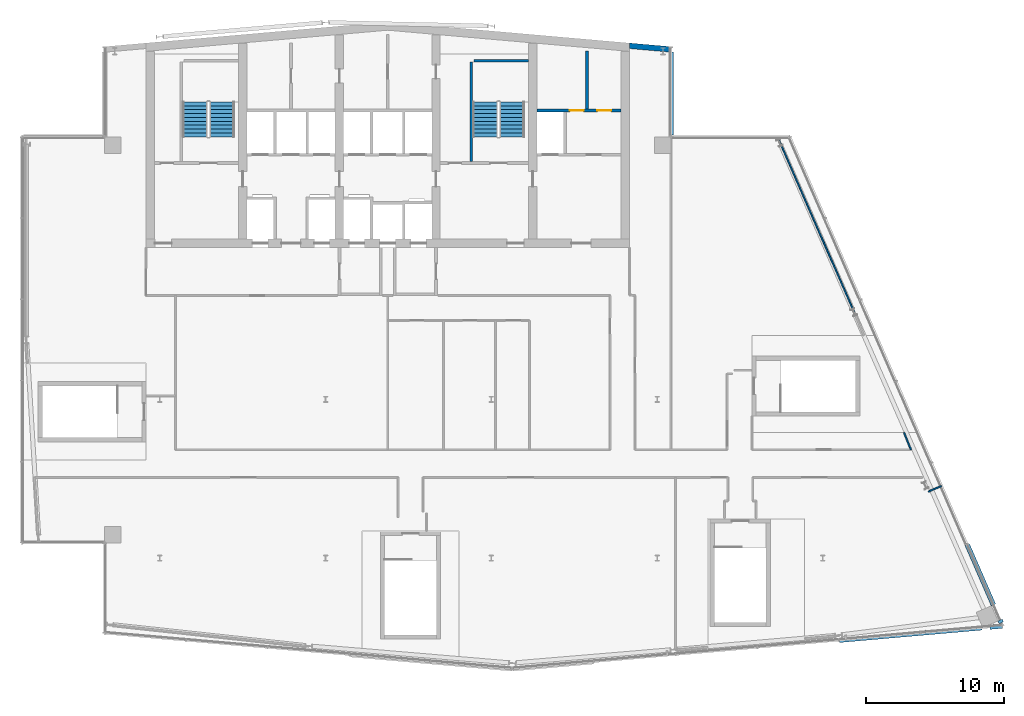
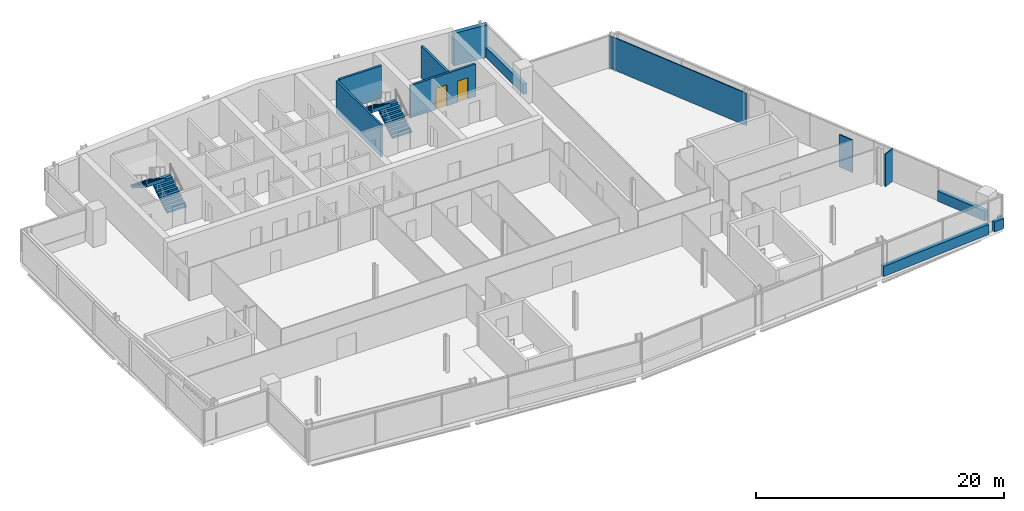
# One storey, part 17 of 19: 13 walls, 4 stair flights, 2 doors, 2 openings, 2 elements without a shape of their own.
"""IFC4 building model written with IfcOpenShell, lengths in metres."""

from ifc_helpers import new_model, si_unit, direction, frame, frame_2d, origin, place, context, subcontext, project, spatial, polyline, rectangle, outline, extrude, material, layer, layer_set, type_object, element, fill, aggregate, save


model = new_model("IFC4")

# Units and contexts
model_context = context("Model", 3, precision=1e-05, world=origin(), true_north=direction((0.0, 1.0)))
body_context = subcontext(model_context, "Body", "Model", "MODEL_VIEW")
ifc_project = project(units=[si_unit("LENGTHUNIT", "METRE"), si_unit("AREAUNIT", "SQUARE_METRE"), si_unit("VOLUMEUNIT", "CUBIC_METRE"), si_unit("PLANEANGLEUNIT", "RADIAN"), si_unit("MASSUNIT", "GRAM", prefix="KILO")], contexts=[model_context])

# Site, building, storey
site_placement = place(None, origin())
site = spatial("IfcSite", under=ifc_project, at=site_placement, CompositionType="ELEMENT")
building_placement = place(site_placement, origin())
building = spatial("IfcBuilding", under=site, at=building_placement, Name="Wharfspan Tower", CompositionType="ELEMENT")
storey_placement = place(building_placement, frame((0.0, 0.0, 257.5)))
storey = spatial("IfcBuildingStorey", under=building, at=storey_placement, Name="L65", CompositionType="ELEMENT", Elevation=257.5)

# Walls
ifc_material_1 = material(Name="Gypsum board on steel studs", Category="steel")
ifc_layer_1 = layer(ifc_material_1, 0.100098)
ifc_layer_set_1 = layer_set([ifc_layer_1], Name="Gypsum board on steel studs")
wall_type_1 = type_object("IfcWallType", Name="Compartment wall 100 EI 60", PredefinedType="PARTITIONING", material=ifc_layer_set_1)
wall_1_placement = place(storey_placement, frame((78.379883, 19.350098, 0.0), z_axis=(0.0, 0.0, 1.0), x_axis=(-0.383963, 0.923344, 0.0)))
element("IfcWall", 1, at=wall_1_placement, inside=storey, type_object=wall_type_1, Name="Partition L65.w045", PredefinedType="PARTITIONING", context=body_context, shape_type="SweptSolid", body=[
    extrude(rectangle(XDim=1.332031, YDim=0.100098, at=frame_2d((0.666016, 0.0))), origin(), (0.0, 0.0, 1.0), 3.199951),
])
ifc_material_2 = material(Name="Calcium silicate masonry", Category="masonry")
ifc_layer_2 = layer(ifc_material_2, 0.199951)
ifc_layer_set_2 = layer_set([ifc_layer_2], Name="Calcium silicate masonry")
wall_type_2 = type_object("IfcWallType", Name="Core room wall 200", PredefinedType="PARTITIONING", material=ifc_layer_set_2)
wall_2_placement = place(storey_placement, frame((54.93335, 44.0, 0.0), z_axis=(0.0, 0.0, 1.0), x_axis=(0.0, 1.0, 0.0)))
element("IfcWall", 2, at=wall_2_placement, inside=storey, type_object=wall_type_2, Name="sw:L65:RP6.1", PredefinedType="PARTITIONING", context=body_context, shape_type="SweptSolid", body=[
    extrude(rectangle(XDim=4.217529, YDim=0.199951, at=frame_2d((2.108887, 0.0))), origin(), (0.0, 0.0, 1.0), 3.199951),
])

# Wall, openings, doors
ifc_material_3 = material(Name="Concrete C30/37", Category="concrete")
ifc_layer_3 = layer(ifc_material_3, 0.199951)
ifc_layer_set_3 = layer_set([ifc_layer_3], Name="Concrete C30/37")
wall_type_3 = type_object("IfcWallType", Name="Lift shaft wall 200", PredefinedType="PARTITIONING", material=ifc_layer_set_3)
wall_3_placement = place(storey_placement, frame((51.300049, 43.899902, 0.0), z_axis=(0.0, 0.0, 1.0), x_axis=(1.0, 0.0, 0.0)))
wall_3 = element("IfcWall", 3, at=wall_3_placement, inside=storey, type_object=wall_type_3, Name="sw:L65:RR6", PredefinedType="PARTITIONING", context=body_context, shape_type="SweptSolid", body=[
    extrude(rectangle(XDim=6.099854, YDim=0.199951, at=frame_2d((3.049805, 0.0))), origin(), (0.0, 0.0, 1.0), 3.199951),
])
opening_1_placement = place(wall_3_placement, frame((2.383301, 0.0, 0.0)))
opening_1 = element("IfcOpeningElement", 4, at=opening_1_placement, cuts=wall_3, Name="Opening CD65.6S2", PredefinedType="OPENING", context=body_context, shape_type="SweptSolid", body=[
    extrude(rectangle(XDim=1.0, YDim=2.100098, at=frame_2d((0.5, 1.050049))), frame((0.0, 0.109863, 0.0), z_axis=(0.0, -1.0, 0.0), x_axis=(1.0, 0.0, 0.0)), (0.0, 0.0, 1.0), 0.219971),
])
opening_2_placement = place(wall_3_placement, frame((4.366699, 0.0, 0.0)))
opening_2 = element("IfcOpeningElement", 5, at=opening_2_placement, cuts=wall_3, Name="Opening CD65.6S2a", PredefinedType="OPENING", context=body_context, shape_type="SweptSolid", body=[
    extrude(rectangle(XDim=1.0, YDim=2.100098, at=frame_2d((0.5, 1.050049))), frame((0.0, 0.109863, 0.0), z_axis=(0.0, -1.0, 0.0), x_axis=(1.0, 0.0, 0.0)), (0.0, 0.0, 1.0), 0.219971),
])
ifc_material_4 = material(Name="Steel door leaf", Category="steel")
door_type = type_object("IfcDoorType", Name="Core room door 1000x2100", OperationType="SINGLE_SWING_LEFT", PredefinedType="DOOR", material=ifc_material_4)
door_1_placement = place(opening_1_placement, origin())
door_1 = element("IfcDoor", 6, at=door_1_placement, inside=storey, type_object=door_type, Name="d:L65:6:rs6.2", OperationType="SINGLE_SWING_LEFT", OverallHeight=2.100098, OverallWidth=1.0, PredefinedType="DOOR", context=body_context, shape_type="SweptSolid", body=[
    extrude(rectangle(XDim=1.0, YDim=2.100098, at=frame_2d((0.5, 1.050049))), frame((0.0, 0.024902, 0.0), z_axis=(0.0, -1.0, 0.0), x_axis=(1.0, 0.0, 0.0)), (0.0, 0.0, 1.0), 0.050049),
])
fill(opening_1, door_1)
door_2_placement = place(opening_2_placement, origin())
door_2 = element("IfcDoor", 7, at=door_2_placement, inside=storey, type_object=door_type, Name="d:L65:6:rs6.2a", OperationType="SINGLE_SWING_LEFT", OverallHeight=2.100098, OverallWidth=1.0, PredefinedType="DOOR", context=body_context, shape_type="SweptSolid", body=[
    extrude(rectangle(XDim=1.0, YDim=2.100098, at=frame_2d((0.5, 1.050049))), frame((0.0, 0.024902, 0.0), z_axis=(0.0, -1.0, 0.0), x_axis=(1.0, 0.0, 0.0)), (0.0, 0.0, 1.0), 0.050049),
])
fill(opening_2, door_2)

# Walls
ifc_layer_4 = layer(ifc_material_1, 0.100098)
ifc_layer_set_4 = layer_set([ifc_layer_4], Name="Gypsum board on steel studs")
wall_type_4 = type_object("IfcWallType", Name="Partition 100", PredefinedType="PARTITIONING", material=ifc_layer_set_4)
wall_4_placement = place(storey_placement, frame((74.264893, 29.310059, 0.0), z_axis=(0.0, 0.0, 1.0), x_axis=(-0.400401, 0.916335, 0.0)))
element("IfcWall", 8, at=wall_4_placement, inside=storey, type_object=wall_type_4, Name="Partition L65.w043", PredefinedType="PARTITIONING", context=body_context, shape_type="SweptSolid", body=[
    extrude(rectangle(XDim=13.794678, YDim=0.100098, at=frame_2d((6.897461, 0.0))), origin(), (0.0, 0.0, 1.0), 3.199951),
])
wall_5_placement = place(storey_placement, frame((79.629883, 16.314941, 0.0), z_axis=(0.0, 0.0, 1.0), x_axis=(0.918616, 0.395147, 0.0)))
element("IfcWall", 9, at=wall_5_placement, inside=storey, type_object=wall_type_4, Name="Partition L65.w046", PredefinedType="PARTITIONING", context=body_context, shape_type="SweptSolid", body=[
    extrude(rectangle(XDim=1.03125, YDim=0.100098, at=frame_2d((0.515625, 0.0))), origin(), (0.0, 0.0, 1.0), 3.199951),
])
ifc_material_5 = material(Name="Concrete C40/50", Category="concrete")
ifc_layer_5 = layer(ifc_material_5, 0.350098)
ifc_layer_set_5 = layer_set([ifc_layer_5], Name="Concrete C40/50")
wall_type_5 = type_object("IfcWallType", Name="SPANDREL EXPOSED CONCRETE 350", PredefinedType="SOLIDWALL", material=ifc_layer_set_5)
wall_6_placement = place(storey_placement, frame((73.197021, 5.562256, 0.0), z_axis=(0.0, 0.0, 1.0), x_axis=(0.996198, 0.087163, 0.0)))
element("IfcWall", 10, at=wall_6_placement, inside=storey, type_object=wall_type_5, Name="Spandrel upstand L65 S2 2", PredefinedType="SOLIDWALL", context=body_context, shape_type="SweptSolid", body=[
    extrude(rectangle(XDim=10.35791, YDim=0.350098, at=frame_2d((5.178955, 0.0))), origin(), (0.0, 0.0, 1.0), 1.0),
])
wall_7_placement = place(storey_placement, frame((84.077637, 6.514404, 0.0), z_axis=(0.0, 0.0, 1.0), x_axis=(0.996213, 0.086971, 0.0)))
element("IfcWall", 11, at=wall_7_placement, inside=storey, type_object=wall_type_5, Name="Spandrel upstand L65 S2 3", PredefinedType="SOLIDWALL", context=body_context, shape_type="SweptSolid", body=[
    extrude(rectangle(XDim=0.92627, YDim=0.350098, at=frame_2d((0.463135, 0.0))), origin(), (0.0, 0.0, 1.0), 1.0),
])
wall_8_placement = place(storey_placement, frame((84.9104, 6.818604, 0.0), z_axis=(0.0, 0.0, 1.0), x_axis=(-0.398359, 0.91723, 0.0)))
element("IfcWall", 12, at=wall_8_placement, inside=storey, type_object=wall_type_5, Name="Spandrel upstand L65 E", PredefinedType="SOLIDWALL", context=body_context, shape_type="SweptSolid", body=[
    extrude(rectangle(XDim=0.21875, YDim=0.350098, at=frame_2d((0.109375, 0.0))), origin(), (0.0, 0.0, 1.0), 1.0),
])
wall_9_placement = place(storey_placement, frame((84.344727, 8.119873, 0.0), z_axis=(0.0, 0.0, 1.0), x_axis=(-0.398736, 0.917067, 0.0)))
element("IfcWall", 13, at=wall_9_placement, inside=storey, type_object=wall_type_5, Name="Spandrel upstand L65 E 2", PredefinedType="SOLIDWALL", context=body_context, shape_type="SweptSolid", body=[
    extrude(rectangle(XDim=4.748291, YDim=0.350098, at=frame_2d((2.374023, 0.0))), origin(), (0.0, 0.0, 1.0), 1.0),
])
wall_10_placement = place(storey_placement, frame((61.004883, 42.120117, 0.0), z_axis=(0.0, 0.0, 1.0), x_axis=(0.0, 1.0, 0.0)))
element("IfcWall", 14, at=wall_10_placement, inside=storey, type_object=wall_type_5, Name="Spandrel upstand L65 NRE-V", PredefinedType="SOLIDWALL", context=body_context, shape_type="SweptSolid", body=[
    extrude(rectangle(XDim=6.006348, YDim=0.350098, at=frame_2d((3.003174, 0.0))), origin(), (0.0, 0.0, 1.0), 1.0),
])
ifc_layer_6 = layer(ifc_material_5, 0.199951)
ifc_layer_set_6 = layer_set([ifc_layer_6], Name="Concrete C40/50")
wall_type_6 = type_object("IfcWallType", Name="Stair shaft wall 200", PredefinedType="SHEAR", material=ifc_layer_set_6)
wall_11_placement = place(storey_placement, frame((46.550049, 40.199951, 0.0), z_axis=(0.0, 0.0, 1.0), x_axis=(0.0, 1.0, 0.0)))
element("IfcWall", 15, at=wall_11_placement, inside=storey, type_object=wall_type_6, Name="ST2 stair enclosure wall L65", PredefinedType="SHEAR", context=body_context, shape_type="SweptSolid", body=[
    extrude(rectangle(XDim=7.199951, YDim=0.199951, at=frame_2d((3.600098, 0.0))), origin(), (0.0, 0.0, 1.0), 3.199951),
])
wall_12_placement = place(storey_placement, frame((46.75, 47.5, 0.0), z_axis=(0.0, 0.0, 1.0), x_axis=(1.0, 0.0, 0.0)))
element("IfcWall", 16, at=wall_12_placement, inside=storey, type_object=wall_type_6, Name="ST2 stair enclosure wall L65", PredefinedType="SHEAR", context=body_context, shape_type="SweptSolid", body=[
    extrude(rectangle(XDim=3.949951, YDim=0.199951, at=frame_2d((1.975098, 0.0))), origin(), (0.0, 0.0, 1.0), 3.199951),
])
ifc_layer_7 = layer(ifc_material_5, 0.399902)
ifc_layer_set_7 = layer_set([ifc_layer_7], Name="Concrete C40/50")
wall_type_7 = type_object("IfcWallType", Name="WALL EXPOSED CONCRETE 400", PredefinedType="SOLIDWALL", material=ifc_layer_set_7)
wall_13_placement = place(storey_placement, frame((60.982666, 48.325684, 0.0), z_axis=(0.0, 0.0, 1.0), x_axis=(-0.996194, 0.087168, 0.0)))
element("IfcWall", 17, at=wall_13_placement, inside=storey, type_object=wall_type_7, Name="Rear wall N2", PredefinedType="SOLIDWALL", context=body_context, shape_type="SweptSolid", body=[
    extrude(rectangle(XDim=2.994141, YDim=0.399902, at=frame_2d((1.49707, 0.0))), origin(), (0.0, 0.0, 1.0), 3.199951),
])

# Stair, stair flights
stair_type = type_object("IfcStairType", Name="Half-turn stair 20 risers 180 mm", PredefinedType="HALF_TURN_STAIR", material=ifc_material_5)
stair_1_placement = place(storey_placement, origin())
stair_1 = element("IfcStair", 18, at=stair_1_placement, inside=storey, type_object=stair_type, Name="L65 stair ST1", PredefinedType="HALF_TURN_STAIR")
stair_flight_type = type_object("IfcStairFlightType", Name="Stair flight 20 risers 180 mm", PredefinedType="STRAIGHT", material=ifc_material_5)
stair_flight_1_placement = place(storey_placement, frame((28.5, 42.0, 0.0), z_axis=(0.0, 0.0, 1.0), x_axis=(0.0, 1.0, 0.0)))
stair_flight_1 = element("IfcStairFlight", 19, at=stair_flight_1_placement, type_object=stair_flight_type, Name="ST1 flight 1", NumberOfRisers=10, NumberOfTreads=9, PredefinedType="STRAIGHT", RiserHeight=0.18, TreadLength=0.28, context=body_context, shape_type="SweptSolid", body=[
    extrude(outline(polyline([(-0.011963, 0.0), (-0.011963, 0.179932), (0.0, 0.179932), (0.280029, 0.179932), (0.280029, 0.360107), (0.560059, 0.360107), (0.560059, 0.540039), (0.840088, 0.540039), (0.840088, 0.719971), (1.120117, 0.719971), (1.120117, 0.899902), (1.399902, 0.899902), (1.399902, 1.080078), (1.679932, 1.080078), (1.679932, 1.26001), (1.959961, 1.26001), (1.959961, 1.439941), (2.23999, 1.439941), (2.23999, 1.620117), (2.52002, 1.620117), (2.531982, 1.800049), (2.531982, 1.441895), (0.2771, 0.0), (-0.011963, 0.0)])), frame((0.0, 0.899902, 0.0), z_axis=(0.0, -1.0, 0.0), x_axis=(1.0, 0.0, 0.0)), (0.0, 0.0, 1.0), 0.899414),
    extrude(outline(polyline([(-0.011963, 0.0), (-0.011963, 0.179932), (0.0, 0.179932), (0.280029, 0.179932), (0.280029, 0.360107), (0.560059, 0.360107), (0.560059, 0.540039), (0.840088, 0.540039), (0.840088, 0.719971), (1.120117, 0.719971), (1.120117, 0.899902), (1.399902, 0.899902), (1.399902, 1.080078), (1.679932, 1.080078), (1.679932, 1.26001), (1.959961, 1.26001), (1.959961, 1.439941), (2.23999, 1.439941), (2.23999, 1.620117), (2.52002, 1.620117), (2.531982, 1.800049), (2.531982, 1.441895), (0.2771, 0.0), (-0.011963, 0.0)])), frame((0.0, -0.000488, 0.0), z_axis=(0.0, -1.0, 0.0), x_axis=(1.0, 0.0, 0.0)), (0.0, 0.0, 1.0), 0.899414),
])
stair_flight_2_placement = place(storey_placement, frame((26.550049, 44.52002, 1.800049), z_axis=(0.0, 0.0, 1.0), x_axis=(0.0, -1.0, 0.0)))
stair_flight_2 = element("IfcStairFlight", 20, at=stair_flight_2_placement, type_object=stair_flight_type, Name="ST1 flight 2", NumberOfRisers=10, NumberOfTreads=9, PredefinedType="STRAIGHT", RiserHeight=0.18, TreadLength=0.28, context=body_context, shape_type="SweptSolid", body=[
    extrude(outline(polyline([(-0.011963, 0.0), (-0.011963, 0.179932), (0.0, 0.179932), (0.280029, 0.179932), (0.280029, 0.360107), (0.560059, 0.360107), (0.560059, 0.540039), (0.840088, 0.540039), (0.840088, 0.719971), (1.120117, 0.719971), (1.120117, 0.899902), (1.399902, 0.899902), (1.399902, 1.080078), (1.679932, 1.080078), (1.679932, 1.26001), (1.959961, 1.26001), (1.959961, 1.439941), (2.23999, 1.439941), (2.23999, 1.620117), (2.52002, 1.620117), (2.531982, 1.800049), (2.531982, 1.441895), (0.2771, 0.0), (-0.011963, 0.0)])), frame((0.0, 0.899902, 0.0), z_axis=(0.0, -1.0, 0.0), x_axis=(1.0, 0.0, 0.0)), (0.0, 0.0, 1.0), 0.899414),
    extrude(outline(polyline([(-0.011963, 0.0), (-0.011963, 0.179932), (0.0, 0.179932), (0.280029, 0.179932), (0.280029, 0.360107), (0.560059, 0.360107), (0.560059, 0.540039), (0.840088, 0.540039), (0.840088, 0.719971), (1.120117, 0.719971), (1.120117, 0.899902), (1.399902, 0.899902), (1.399902, 1.080078), (1.679932, 1.080078), (1.679932, 1.26001), (1.959961, 1.26001), (1.959961, 1.439941), (2.23999, 1.439941), (2.23999, 1.620117), (2.52002, 1.620117), (2.531982, 1.800049), (2.531982, 1.441895), (0.2771, 0.0), (-0.011963, 0.0)])), frame((0.0, -0.000488, 0.0), z_axis=(0.0, -1.0, 0.0), x_axis=(1.0, 0.0, 0.0)), (0.0, 0.0, 1.0), 0.899414),
])
aggregate(stair_1, [stair_flight_1, stair_flight_2])

stair_2_placement = place(storey_placement, origin())
stair_2 = element("IfcStair", 21, at=stair_2_placement, inside=storey, type_object=stair_type, Name="L65 stair ST2", PredefinedType="HALF_TURN_STAIR")
stair_flight_3_placement = place(storey_placement, frame((49.5, 42.0, 0.0), z_axis=(0.0, 0.0, 1.0), x_axis=(0.0, 1.0, 0.0)))
stair_flight_3 = element("IfcStairFlight", 22, at=stair_flight_3_placement, type_object=stair_flight_type, Name="ST2 flight 1", NumberOfRisers=10, NumberOfTreads=9, PredefinedType="STRAIGHT", RiserHeight=0.18, TreadLength=0.28, context=body_context, shape_type="SweptSolid", body=[
    extrude(outline(polyline([(-0.011963, 0.0), (-0.011963, 0.179932), (0.0, 0.179932), (0.280029, 0.179932), (0.280029, 0.360107), (0.560059, 0.360107), (0.560059, 0.540039), (0.840088, 0.540039), (0.840088, 0.719971), (1.120117, 0.719971), (1.120117, 0.899902), (1.399902, 0.899902), (1.399902, 1.080078), (1.679932, 1.080078), (1.679932, 1.26001), (1.959961, 1.26001), (1.959961, 1.439941), (2.23999, 1.439941), (2.23999, 1.620117), (2.52002, 1.620117), (2.531982, 1.800049), (2.531982, 1.441895), (0.2771, 0.0), (-0.011963, 0.0)])), frame((0.0, 0.899902, 0.0), z_axis=(0.0, -1.0, 0.0), x_axis=(1.0, 0.0, 0.0)), (0.0, 0.0, 1.0), 0.899414),
    extrude(outline(polyline([(-0.011963, 0.0), (-0.011963, 0.179932), (0.0, 0.179932), (0.280029, 0.179932), (0.280029, 0.360107), (0.560059, 0.360107), (0.560059, 0.540039), (0.840088, 0.540039), (0.840088, 0.719971), (1.120117, 0.719971), (1.120117, 0.899902), (1.399902, 0.899902), (1.399902, 1.080078), (1.679932, 1.080078), (1.679932, 1.26001), (1.959961, 1.26001), (1.959961, 1.439941), (2.23999, 1.439941), (2.23999, 1.620117), (2.52002, 1.620117), (2.531982, 1.800049), (2.531982, 1.441895), (0.2771, 0.0), (-0.011963, 0.0)])), frame((0.0, -0.000488, 0.0), z_axis=(0.0, -1.0, 0.0), x_axis=(1.0, 0.0, 0.0)), (0.0, 0.0, 1.0), 0.899414),
])
stair_flight_4_placement = place(storey_placement, frame((47.550049, 44.52002, 1.800049), z_axis=(0.0, 0.0, 1.0), x_axis=(0.0, -1.0, 0.0)))
stair_flight_4 = element("IfcStairFlight", 23, at=stair_flight_4_placement, type_object=stair_flight_type, Name="ST2 flight 2", NumberOfRisers=10, NumberOfTreads=9, PredefinedType="STRAIGHT", RiserHeight=0.18, TreadLength=0.28, context=body_context, shape_type="SweptSolid", body=[
    extrude(outline(polyline([(-0.011963, 0.0), (-0.011963, 0.179932), (0.0, 0.179932), (0.280029, 0.179932), (0.280029, 0.360107), (0.560059, 0.360107), (0.560059, 0.540039), (0.840088, 0.540039), (0.840088, 0.719971), (1.120117, 0.719971), (1.120117, 0.899902), (1.399902, 0.899902), (1.399902, 1.080078), (1.679932, 1.080078), (1.679932, 1.26001), (1.959961, 1.26001), (1.959961, 1.439941), (2.23999, 1.439941), (2.23999, 1.620117), (2.52002, 1.620117), (2.531982, 1.800049), (2.531982, 1.441895), (0.2771, 0.0), (-0.011963, 0.0)])), frame((0.0, 0.899902, 0.0), z_axis=(0.0, -1.0, 0.0), x_axis=(1.0, 0.0, 0.0)), (0.0, 0.0, 1.0), 0.899414),
    extrude(outline(polyline([(-0.011963, 0.0), (-0.011963, 0.179932), (0.0, 0.179932), (0.280029, 0.179932), (0.280029, 0.360107), (0.560059, 0.360107), (0.560059, 0.540039), (0.840088, 0.540039), (0.840088, 0.719971), (1.120117, 0.719971), (1.120117, 0.899902), (1.399902, 0.899902), (1.399902, 1.080078), (1.679932, 1.080078), (1.679932, 1.26001), (1.959961, 1.26001), (1.959961, 1.439941), (2.23999, 1.439941), (2.23999, 1.620117), (2.52002, 1.620117), (2.531982, 1.800049), (2.531982, 1.441895), (0.2771, 0.0), (-0.011963, 0.0)])), frame((0.0, -0.000488, 0.0), z_axis=(0.0, -1.0, 0.0), x_axis=(1.0, 0.0, 0.0)), (0.0, 0.0, 1.0), 0.899414),
])
aggregate(stair_2, [stair_flight_3, stair_flight_4])

save(model, "model.ifc")
